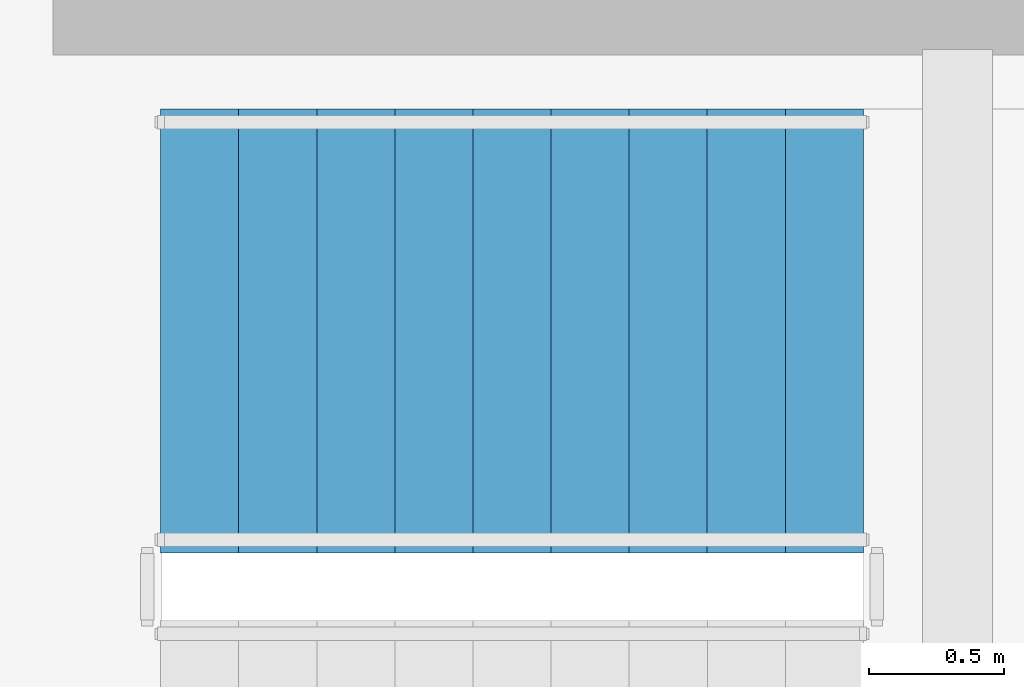
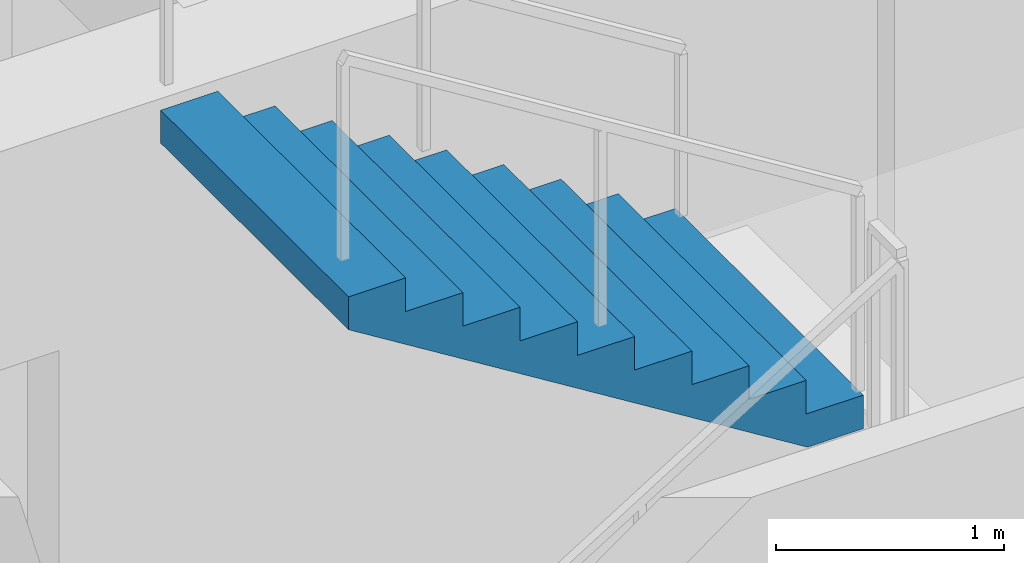
# One storey, part 11 of 13: 1 stair flight, 1 element without a shape of its own.
"""IFC4 building model written with IfcOpenShell, lengths in metres."""

from ifc_helpers import new_model, si_unit, derived_unit, direction, frame, origin, place, context, subcontext, project, spatial, polyline, outline, extrude, material, type_object, element, aggregate, save


model = new_model("IFC4")

# Units and contexts
model_context = context("Model", 3, precision=1e-05, world=origin(), true_north=direction((0.0, 1.0)))
body_context = subcontext(model_context, "Body", "Model", "MODEL_VIEW")
ifc_project = project(units=[si_unit("LENGTHUNIT", "METRE"), si_unit("AREAUNIT", "SQUARE_METRE"), si_unit("VOLUMEUNIT", "CUBIC_METRE"), si_unit("PLANEANGLEUNIT", "RADIAN"), si_unit("MASSUNIT", "GRAM", prefix="KILO"), derived_unit("THERMALTRANSMITTANCEUNIT", [(si_unit("POWERUNIT", "WATT"), 1), (si_unit("LENGTHUNIT", "METRE"), -2), (si_unit("THERMODYNAMICTEMPERATUREUNIT", "KELVIN"), -1)])], contexts=[model_context])

# Site, building, storey
site_placement = place(None, origin())
site = spatial("IfcSite", under=ifc_project, at=site_placement, CompositionType="ELEMENT")
building_placement = place(site_placement, origin())
building = spatial("IfcBuilding", under=site, at=building_placement, Name="Koralith Skygarden Medical Center", CompositionType="ELEMENT")
storey_placement = place(building_placement, frame((0.0, 0.0, 199.97998046875)))
storey = spatial("IfcBuildingStorey", under=building, at=storey_placement, Name="L51", CompositionType="ELEMENT", Elevation=199.97998046875)

# Stair, stair flight
ifc_material = material(Name="Concrete C45/55", Category="concrete")
stair_type = type_object("IfcStairType", Name="Core Exit Dogleg Concrete Stair", PredefinedType="HALF_TURN_STAIR", material=ifc_material)
stair_placement = place(storey_placement, origin())
stair = element("IfcStair", 1, at=stair_placement, inside=storey, type_object=stair_type, Name="L51 Smokeproof Exit Stair ST3", PredefinedType="HALF_TURN_STAIR")
stair_flight_type = type_object("IfcStairFlightType", Name="Core Exit Concrete Stair Flight 1650", PredefinedType="STRAIGHT", material=ifc_material)
stair_flight_placement = place(storey_placement, frame((35.409912109375, 33.175048828125, 1.800048828125), z_axis=(0.0, 0.0, 1.0), x_axis=(-1.0, 0.0, 0.0)))
stair_flight = element("IfcStairFlight", 2, at=stair_flight_placement, type_object=stair_flight_type, Name="ST3 flight 2", NumberOfRisers=10, NumberOfTreads=9, PredefinedType="STRAIGHT", RiserHeight=0.18, TreadLength=0.29, context=body_context, shape_type="SweptSolid", body=[
    extrude(outline(polyline([(0.0, 0.0), (0.0, 0.179931640625), (0.2900390625, 0.179931640625), (0.2900390625, 0.360107421875), (0.580078125, 0.360107421875), (0.580078125, 0.5400390625), (0.8701171875, 0.5400390625), (0.8701171875, 0.719970703125), (1.159912109375, 0.719970703125), (1.159912109375, 0.89990234375), (1.449951171875, 0.89990234375), (1.449951171875, 1.080078125), (1.739990234375, 1.080078125), (1.739990234375, 1.260009765625), (2.030029296875, 1.260009765625), (2.030029296875, 1.43994140625), (2.320068359375, 1.43994140625), (2.320068359375, 1.6201171875), (2.610107421875, 1.6201171875), (2.610107421875, 1.800048828125), (2.610107421875, 1.443603515625), (0.2841796875, 0.0), (0.0, 0.0)])), frame((0.0, 0.824951171875, 0.0), z_axis=(0.0, -1.0, 0.0), x_axis=(1.0, 0.0, 0.0)), (0.0, 0.0, 1.0), 1.64990234375),
])
aggregate(stair, [stair_flight])

save(model, "model.ifc")
